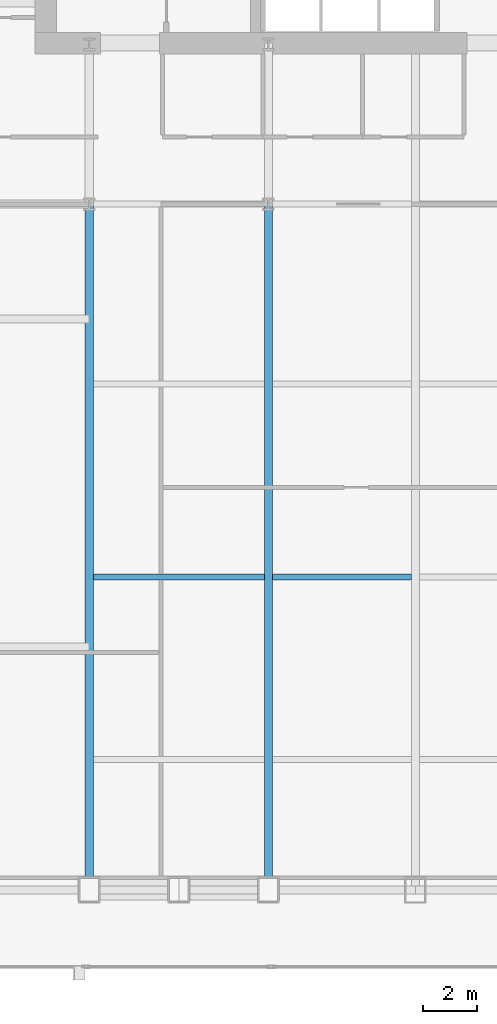
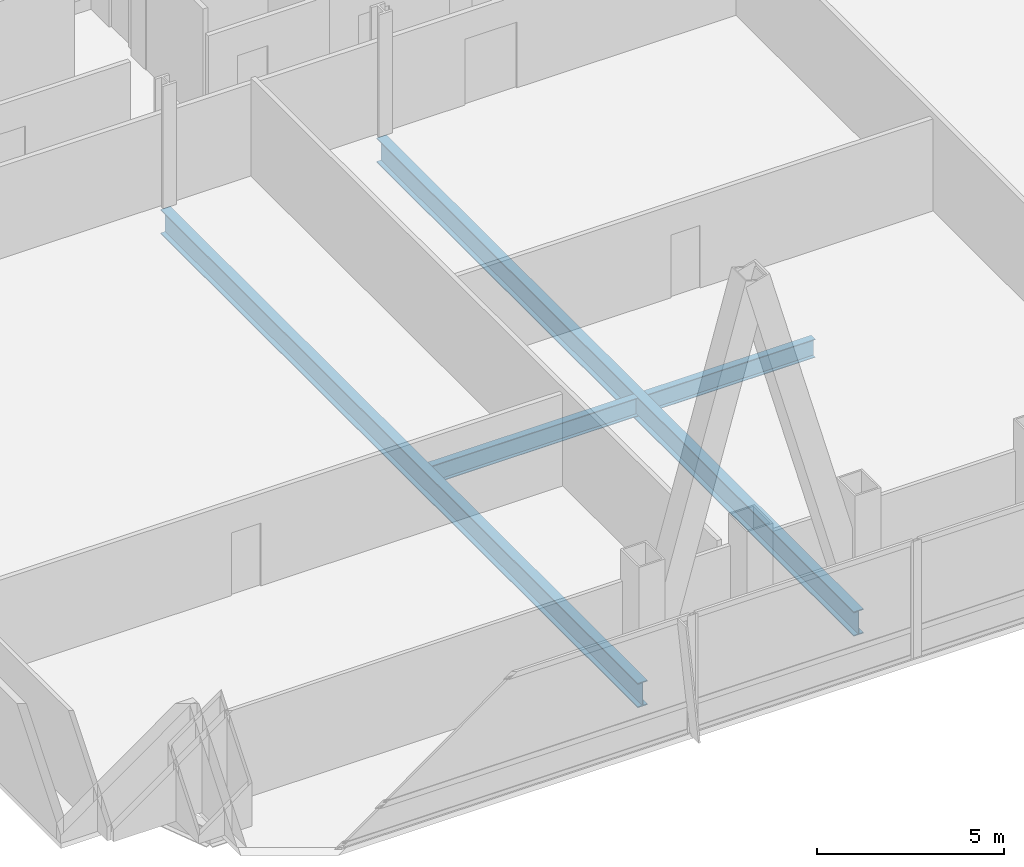
# One storey, part 9 of 35: 4 beams.
"""IFC4 building model written with IfcOpenShell, lengths in metres."""

import ifcopenshell
import ifcopenshell.guid

model = None  # the IFC model being written
_history = None  # IfcOwnerHistory: only IFC2X3 demands one
_inside = {}  # id of a spatial element -> (the spatial element, [elements in it])
_under = {}  # id of a project, library or spatial element -> (it, [spatial elements below it])
_declared = {}  # id of a project -> (the project, [libraries it declares])
_typed = {}  # id of a type object -> (the type object, [elements of that type])
_made_of = {}  # id of a material, layer set ... -> (it, [elements and type objects made of it])


def new_model(schema):
    """Start an empty IFC model of exactly this schema.

    Asked for "IFC4X3", IfcOpenShell would pick the latest addendum, in which some entities
    have other attributes; the version numbers below select the first issue.
    IFC2X3 requires an IfcOwnerHistory on every rooted entity: one is made here for all.
    """
    global model, _history
    if schema == "IFC4X3":
        model = ifcopenshell.file(schema_version=(4, 3, 0, 0))
    else:
        model = ifcopenshell.file(schema=schema)
    _inside.clear()
    _under.clear()
    _declared.clear()
    _typed.clear()
    _made_of.clear()
    _history = None
    if model.schema == "IFC2X3":
        org = make("IfcOrganization", Name="unknown")
        user = make(
            "IfcPersonAndOrganization",
            ThePerson=make("IfcPerson", FamilyName="unknown"),
            TheOrganization=org,
        )
        app = make(
            "IfcApplication",
            ApplicationDeveloper=org,
            Version="unknown",
            ApplicationFullName="unknown",
            ApplicationIdentifier="unknown",
        )
        _history = make(
            "IfcOwnerHistory",
            OwningUser=user,
            OwningApplication=app,
            ChangeAction="ADDED",
            CreationDate=0,
        )
    return model


def make(cls, **values):
    """One entity of the class cls with the attributes given. An attribute that is None is left unset."""
    return model.create_entity(
        cls, **{name: value for name, value in values.items() if value is not None}
    )


def rooted(cls, **values):
    """An entity with a GlobalId (a new one), such as an element, a storey or a relation."""
    return make(cls, GlobalId=ifcopenshell.guid.new(), OwnerHistory=_history, **values)


def si_unit(unit_type, name, prefix=None):
    """IfcSIUnit, for example si_unit("LENGTHUNIT", "METRE", prefix="MILLI")."""
    return make("IfcSIUnit", UnitType=unit_type, Prefix=prefix, Name=name)


def assignment(units):
    """IfcUnitAssignment: the units of a project."""
    return None if units is None else make("IfcUnitAssignment", Units=units)


def point(xyz):
    """IfcCartesianPoint."""
    return None if xyz is None else make("IfcCartesianPoint", Coordinates=xyz)


def direction(xyz):
    """IfcDirection."""
    return None if xyz is None else make("IfcDirection", DirectionRatios=xyz)


def frame(location, z_axis=None, x_axis=None):
    """IfcAxis2Placement3D, a coordinate frame: its origin and axes. An axis left out is left unset."""
    return make(
        "IfcAxis2Placement3D",
        Location=point(location),
        Axis=direction(z_axis),
        RefDirection=direction(x_axis),
    )


def frame_2d(location, x_axis=None):
    """IfcAxis2Placement2D, a coordinate frame in the plane: its origin and x axis."""
    return make(
        "IfcAxis2Placement2D", Location=point(location), RefDirection=direction(x_axis)
    )


def origin():
    """The frame at (0, 0, 0) with its axes left unset."""
    return frame((0.0, 0.0, 0.0))


def origin_2d():
    """The frame at (0, 0) in the plane with its x axis left unset."""
    return frame_2d((0.0, 0.0))


def place(relative_to, where):
    """IfcLocalPlacement: puts the frame where relative to a parent placement (None: the world)."""
    return make(
        "IfcLocalPlacement", PlacementRelTo=relative_to, RelativePlacement=where
    )


def context(
    kind, dimensions, precision=None, world=None, true_north=None, identifier=None
):
    """IfcGeometricRepresentationContext, for example the 3D "Model" context."""
    return make(
        "IfcGeometricRepresentationContext",
        ContextIdentifier=identifier,
        ContextType=kind,
        CoordinateSpaceDimension=dimensions,
        Precision=precision,
        WorldCoordinateSystem=world,
        TrueNorth=true_north,
    )


def subcontext(parent, identifier, kind, view, scale=None):
    """IfcGeometricRepresentationSubContext, for example "Body" below "Model"."""
    return make(
        "IfcGeometricRepresentationSubContext",
        ContextIdentifier=identifier,
        ContextType=kind,
        ParentContext=parent,
        TargetScale=scale,
        TargetView=view,
    )


def project(units=None, contexts=None):
    """IfcProject with its units and contexts."""
    return rooted(
        "IfcProject",
        Name="project",
        RepresentationContexts=contexts,
        UnitsInContext=assignment(units),
    )


def spatial(cls, under=None, at=None, **own):
    """A site, building, storey or space (cls), placed at a placement, below another one or the project."""
    s = rooted(cls, ObjectPlacement=at, **own)
    if under is not None:
        _under.setdefault(under.id(), (under, []))[1].append(s)
    return s


def profile(cls, at=None, kind="AREA", **sizes):
    """A parametric profile (cls). Its sizes go by their IFC names, for example OverallWidth=200.0."""
    return make(cls, ProfileType=kind, Position=at, **sizes)


def i_section(**sizes):
    """IfcIShapeProfileDef."""
    return profile("IfcIShapeProfileDef", **sizes)


def extrude(swept, where, along, depth):
    """IfcExtrudedAreaSolid: the profile swept, set in the frame where, extruded along a direction by depth."""
    return make(
        "IfcExtrudedAreaSolid",
        SweptArea=swept,
        Position=where,
        ExtrudedDirection=direction(along),
        Depth=depth,
    )


def shape(context_of_items, identifier, shape_type, items):
    """IfcShapeRepresentation: the items that make up one representation, for example the "Body"."""
    return make(
        "IfcShapeRepresentation",
        ContextOfItems=context_of_items,
        RepresentationIdentifier=identifier,
        RepresentationType=shape_type,
        Items=items,
    )


def material(Name=None, Category=None):
    """IfcMaterial."""
    return make("IfcMaterial", Name=Name, Category=Category)


def material_profile(
    of_material, cross_section, Name=None, Category=None, Priority=None
):
    """IfcMaterialProfile: a cross section and its material."""
    return make(
        "IfcMaterialProfile",
        Name=Name,
        Material=of_material,
        Profile=cross_section,
        Priority=Priority,
        Category=Category,
    )


def profile_set(profiles, Name=None, composite=None):
    """IfcMaterialProfileSet."""
    return make(
        "IfcMaterialProfileSet",
        Name=Name,
        MaterialProfiles=profiles,
        CompositeProfile=composite,
    )


def made_of(thing, what):
    """Note that an element or type object is made of a material, layer set ...; save() writes the relation."""
    if what is not None:
        _made_of.setdefault(what.id(), (what, []))[1].append(thing)
    return thing


def type_object(cls, material=None, **own):
    """A type object (cls), such as IfcWallType, which elements share."""
    return made_of(rooted(cls, **own), material)


def element(
    cls,
    number,
    at=None,
    inside=None,
    cuts=None,
    type_object=None,
    material=None,
    context=None,
    identifier="Body",
    shape_type=None,
    held_by="IfcProductDefinitionShape",
    body=None,
    shapes=None,
    **own,
):
    """One element of the class cls, such as IfcWall. Its Tag is "e" and its number.

    at: its placement. inside: the storey or other place that contains it. cuts: it is an
    opening in that element (IfcRelVoidsElement). A single representation is given by context,
    identifier, shape_type and body (its items); several are given by shapes. held_by: the class
    of the entity that holds the representations. save() writes the other relations.
    """
    e = rooted(cls, Tag="e%d" % number, ObjectPlacement=at, **own)
    if body is not None:
        shapes = [shape(context, identifier, shape_type, body)]
    if shapes is not None:
        e.Representation = make(held_by, Representations=shapes)
    if inside is not None:
        _inside.setdefault(inside.id(), (inside, []))[1].append(e)
    if cuts is not None:
        rooted(
            "IfcRelVoidsElement", RelatingBuildingElement=cuts, RelatedOpeningElement=e
        )
    if type_object is not None:
        _typed.setdefault(type_object.id(), (type_object, []))[1].append(e)
    return made_of(e, material)


def aggregate(whole, parts):
    """IfcRelAggregates: a whole, such as a stair, and the parts it consists of."""
    return rooted("IfcRelAggregates", RelatingObject=whole, RelatedObjects=parts)


def save(model, path):
    """Write the relations noted so far, then the file.

    IfcRelAggregates (storeys below a building ...), IfcRelContainedInSpatialStructure (elements
    in a storey), IfcRelDefinesByType, IfcRelAssociatesMaterial and IfcRelDeclares: one each for
    every whole, place, type object, material and project.
    """
    for whole, parts in _under.values():
        aggregate(whole, parts)
    for where, things in _inside.values():
        rooted(
            "IfcRelContainedInSpatialStructure",
            RelatedElements=things,
            RelatingStructure=where,
        )
    for kind, things in _typed.values():
        rooted("IfcRelDefinesByType", RelatedObjects=things, RelatingType=kind)
    for what, things in _made_of.values():
        rooted("IfcRelAssociatesMaterial", RelatedObjects=things, RelatingMaterial=what)
    for by, libraries in _declared.values():
        rooted("IfcRelDeclares", RelatingContext=by, RelatedDefinitions=libraries)
    model.write(path)


model = new_model("IFC4")

# Units and contexts
model_context = context("Model", 3, precision=1e-05, world=origin(), true_north=direction((0.0, 1.0)))
body_context = subcontext(model_context, "Body", "Model", "MODEL_VIEW")
ifc_project = project(units=[si_unit("LENGTHUNIT", "METRE"), si_unit("AREAUNIT", "SQUARE_METRE"), si_unit("VOLUMEUNIT", "CUBIC_METRE"), si_unit("PLANEANGLEUNIT", "RADIAN"), si_unit("MASSUNIT", "GRAM", prefix="KILO")], contexts=[model_context])

# Site, building, storey
site_placement = place(None, origin())
site = spatial("IfcSite", under=ifc_project, at=site_placement, CompositionType="ELEMENT")
building_placement = place(site_placement, origin())
building = spatial("IfcBuilding", under=site, at=building_placement, Name="Khoronbel Lancet Exchange", CompositionType="ELEMENT")
storey_placement = place(building_placement, frame((0.0, 0.0, 37.800048828125)))
storey = spatial("IfcBuildingStorey", under=building, at=storey_placement, Name="L08", CompositionType="ELEMENT", Elevation=37.800048828125)

# Beams
ifc_material = material(Name="Steel S355", Category="steel")
ifc_material_profile_1 = material_profile(ifc_material, i_section(OverallWidth=0.300048828125, OverallDepth=0.800048828125, WebThickness=0.017578125, FlangeThickness=0.032958984375, at=origin_2d()), Name="HEB 800")
ifc_profile_set_1 = profile_set([ifc_material_profile_1], Name="Steel S355")
beam_type_1 = type_object("IfcBeamType", Name="BM-BG2", PredefinedType="BEAM", material=ifc_profile_set_1)
for number, where, z_axis, x_axis, name in (
    (1, (18.22509765625, 10.14990234375, -0.580078125), (0.0, 1.0, 0.0), (-1.0, 0.0, 0.0), "Level L08 south primary girder GS1"),
    (2, (24.89990234375, 10.14990234375, -0.580078125), (0.0, 1.0, 0.0), (-1.0, 0.0, 0.0), "Level L08 south primary girder GS2"),
):
    element("IfcBeam", number, at=place(storey_placement, frame(where, z_axis=z_axis, x_axis=x_axis)), inside=storey, type_object=beam_type_1, Name=name, PredefinedType="BEAM", context=body_context, shape_type="SweptSolid", body=[
        extrude(i_section(OverallWidth=0.300048828125, OverallDepth=0.800048828125, WebThickness=0.017578125, FlangeThickness=0.032958984375, at=origin_2d()), origin(), (0.0, 0.0, 1.0), 25.550048828125),
    ])
ifc_material_profile_2 = material_profile(ifc_material, i_section(OverallWidth=0.219970703125, OverallDepth=0.60009765625, WebThickness=0.011962890625, FlangeThickness=0.01904296875, at=origin_2d()), Name="IPE 600")
ifc_profile_set_2 = profile_set([ifc_material_profile_2], Name="Steel S355")
beam_type_2 = type_object("IfcBeamType", Name="BM-BJ1", PredefinedType="JOIST", material=ifc_profile_set_2)
beam_1_placement = place(storey_placement, frame((18.375, 21.800048828125, -0.47998046875), z_axis=(1.0, 0.0, 0.0), x_axis=(0.0, 1.0, 0.0)))
element("IfcBeam", 3, at=beam_1_placement, inside=storey, type_object=beam_type_2, Name="Level L08 secondary composite joist J06", PredefinedType="JOIST", context=body_context, shape_type="SweptSolid", body=[
    extrude(i_section(OverallWidth=0.219970703125, OverallDepth=0.60009765625, WebThickness=0.011962890625, FlangeThickness=0.01904296875, at=origin_2d()), origin(), (0.0, 0.0, 1.0), 6.375),
])
beam_2_placement = place(storey_placement, frame((25.050048828125, 21.800048828125, -0.47998046875), z_axis=(1.0, 0.0, 0.0), x_axis=(0.0, 1.0, 0.0)))
element("IfcBeam", 4, at=beam_2_placement, inside=storey, type_object=beam_type_2, Name="Level L08 secondary composite joist J07", PredefinedType="JOIST", context=body_context, shape_type="SweptSolid", body=[
    extrude(i_section(OverallWidth=0.219970703125, OverallDepth=0.60009765625, WebThickness=0.011962890625, FlangeThickness=0.01904296875, at=origin_2d()), origin(), (0.0, 0.0, 1.0), 5.175048828125),
])

save(model, "model.ifc")
